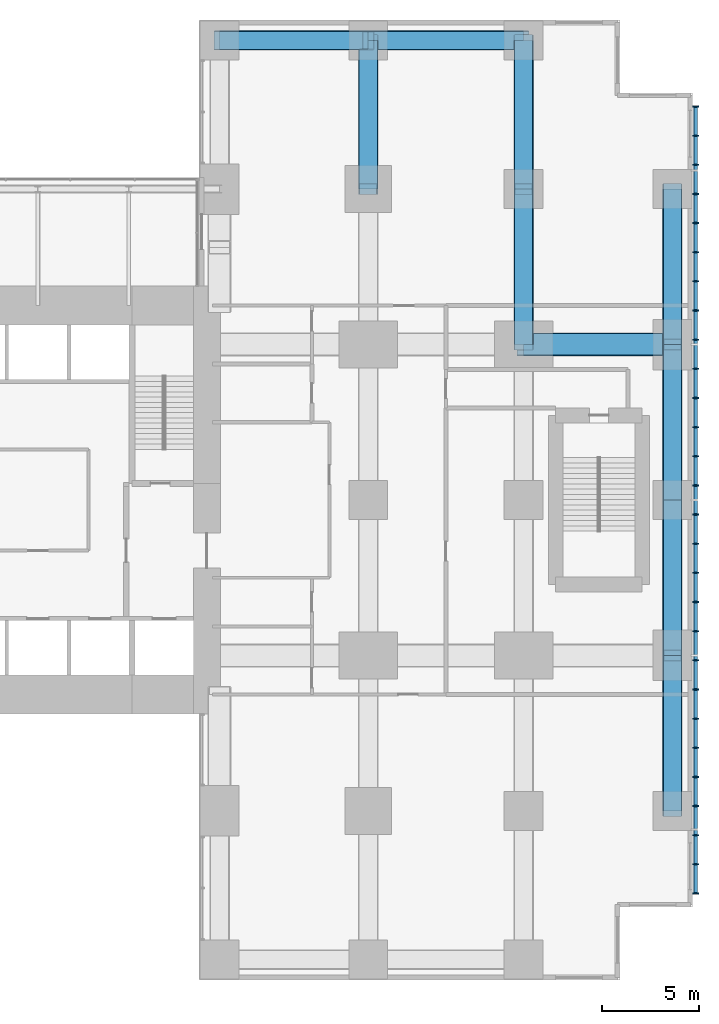
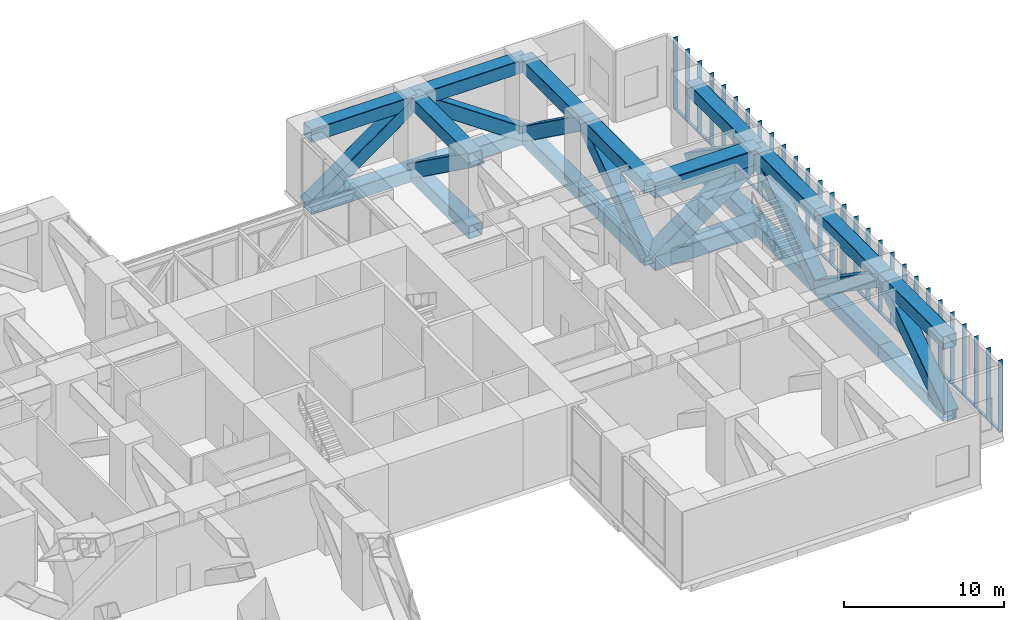
# One storey, part 7 of 17: 62 members.
"""IFC4 building model written with IfcOpenShell, lengths in metres."""

from ifc_helpers import new_model, si_unit, direction, frame, origin, origin_2d, place, context, subcontext, project, spatial, rectangle, hollow_rectangle, extrude, material, material_profile, profile_set, type_object, element, save


model = new_model("IFC4")

# Units and contexts
model_context = context("Model", 3, precision=1e-05, world=origin(), true_north=direction((0.0, 1.0)))
body_context = subcontext(model_context, "Body", "Model", "MODEL_VIEW")
ifc_project = project(units=[si_unit("LENGTHUNIT", "METRE"), si_unit("AREAUNIT", "SQUARE_METRE"), si_unit("VOLUMEUNIT", "CUBIC_METRE"), si_unit("PLANEANGLEUNIT", "RADIAN"), si_unit("MASSUNIT", "GRAM", prefix="KILO")], contexts=[model_context])

# Site, building, storey
site_placement = place(None, origin())
site = spatial("IfcSite", under=ifc_project, at=site_placement, CompositionType="ELEMENT")
building_placement = place(site_placement, origin())
building = spatial("IfcBuilding", under=site, at=building_placement, Name="Cleftline Residences", CompositionType="ELEMENT")
storey_placement = place(building_placement, frame((0.0, 0.0, 90.800048828125)))
storey = spatial("IfcBuildingStorey", under=building, at=storey_placement, Name="L23", CompositionType="ELEMENT", Elevation=90.800048828125)

# Members
ifc_material_1 = material(Name="Steel S355, hot-dip galvanised", Category="steel")
ifc_material_profile_1 = material_profile(ifc_material_1, hollow_rectangle(XDim=0.10009765625, YDim=0.199951171875, WallThickness=0.008056640625, InnerFilletRadius=0.008056640625, OuterFilletRadius=0.011962890625, at=origin_2d()))
ifc_profile_set_1 = profile_set([ifc_material_profile_1], Name="Steel S355, hot-dip galvanised")
member_type_1 = type_object("IfcMemberType", Name="BAGUETTE CARRIER RHS 200X100X8", PredefinedType="USERDEFINED", material=ifc_profile_set_1)
member_1_placement = place(storey_placement, frame((66.85009765625, 3.699951171875, -0.050048828125), z_axis=(0.0, 1.0, 0.0), x_axis=(0.0, 0.0, 1.0)))
element("IfcMember", 1, at=member_1_placement, inside=storey, type_object=member_type_1, Name="Baguette carrier", ObjectType="BAGUETTE CARRIER", PredefinedType="USERDEFINED", context=body_context, shape_type="SweptSolid", body=[
    extrude(hollow_rectangle(XDim=0.10009765625, YDim=0.199951171875, WallThickness=0.008056640625, InnerFilletRadius=0.008056640625, OuterFilletRadius=0.011962890625, at=origin_2d()), origin(), (0.0, 0.0, 1.0), 12.300048828125),
])
for number, where, z_axis, x_axis, name in (
    (2, (66.85009765625, 16.0, -0.050048828125), (0.0, 1.0, 0.0), (0.0, 0.0, 1.0), "Baguette carrier"),
    (3, (66.85009765625, 24.0, -0.050048828125), (0.0, 1.0, 0.0), (0.0, 0.0, 1.0), "Baguette carrier"),
):
    element("IfcMember", number, at=place(storey_placement, frame(where, z_axis=z_axis, x_axis=x_axis)), inside=storey, type_object=member_type_1, Name=name, ObjectType="BAGUETTE CARRIER", PredefinedType="USERDEFINED", context=body_context, shape_type="SweptSolid", body=[
        extrude(hollow_rectangle(XDim=0.10009765625, YDim=0.199951171875, WallThickness=0.008056640625, InnerFilletRadius=0.008056640625, OuterFilletRadius=0.011962890625, at=origin_2d()), origin(), (0.0, 0.0, 1.0), 8.0),
    ])
member_2_placement = place(storey_placement, frame((66.85009765625, 32.0, -0.050048828125), z_axis=(0.0, 1.0, 0.0), x_axis=(0.0, 0.0, 1.0)))
element("IfcMember", 4, at=member_2_placement, inside=storey, type_object=member_type_1, Name="Baguette carrier", ObjectType="BAGUETTE CARRIER", PredefinedType="USERDEFINED", context=body_context, shape_type="SweptSolid", body=[
    extrude(hollow_rectangle(XDim=0.10009765625, YDim=0.199951171875, WallThickness=0.008056640625, InnerFilletRadius=0.008056640625, OuterFilletRadius=0.011962890625, at=origin_2d()), origin(), (0.0, 0.0, 1.0), 12.300048828125),
])
ifc_material_2 = material(Name="Steel S355", Category="steel")
ifc_material_profile_2 = material_profile(ifc_material_2, hollow_rectangle(XDim=1.0, YDim=1.0, WallThickness=0.0400390625, InnerFilletRadius=0.0400390625, OuterFilletRadius=0.06005859375, at=origin_2d()))
ifc_profile_set_2 = profile_set([ifc_material_profile_2], Name="Steel S355")
member_type_2 = type_object("IfcMemberType", Name="BRACE BOX 1000X1000X40", PredefinedType="BRACE", material=ifc_profile_set_2)
member_3_placement = place(storey_placement, frame((50.0, 40.0, 4.64990234375), z_axis=(0.0, 0.811933238445, -0.583750303048), x_axis=(0.0, 0.583750303048, 0.811933238445)))
element("IfcMember", 5, at=member_3_placement, inside=storey, type_object=member_type_2, Name="Belt truss diagonal", PredefinedType="BRACE", context=body_context, shape_type="SweptSolid", body=[
    extrude(hollow_rectangle(XDim=1.0, YDim=1.0, WallThickness=0.0400390625, InnerFilletRadius=0.0400390625, OuterFilletRadius=0.06005859375, at=origin_2d()), origin(), (0.0, 0.0, 1.0), 9.421875),
])
member_4_placement = place(storey_placement, frame((58.0, 32.0, -0.85009765625), z_axis=(0.0, 0.824041924199, 0.566528822887), x_axis=(0.0, -0.566528822887, 0.824041924199)))
element("IfcMember", 6, at=member_4_placement, inside=storey, type_object=member_type_2, Name="Belt truss diagonal", PredefinedType="BRACE", context=body_context, shape_type="SweptSolid", body=[
    extrude(hollow_rectangle(XDim=1.0, YDim=1.0, WallThickness=0.0400390625, InnerFilletRadius=0.0400390625, OuterFilletRadius=0.06005859375, at=origin_2d()), origin(), (0.0, 0.0, 1.0), 9.708251953125),
])
member_5_placement = place(storey_placement, frame((58.0, 40.0, 4.64990234375), z_axis=(0.0, 0.811933238445, -0.583750303048), x_axis=(0.0, 0.583750303048, 0.811933238445)))
element("IfcMember", 7, at=member_5_placement, inside=storey, type_object=member_type_2, Name="Belt truss diagonal", PredefinedType="BRACE", context=body_context, shape_type="SweptSolid", body=[
    extrude(hollow_rectangle(XDim=1.0, YDim=1.0, WallThickness=0.0400390625, InnerFilletRadius=0.0400390625, OuterFilletRadius=0.06005859375, at=origin_2d()), origin(), (0.0, 0.0, 1.0), 9.421875),
])
for number, where, z_axis, x_axis, name in (
    (8, (65.64990234375, 8.0, -0.85009765625), (0.0, 0.824041924199, 0.566528822887), (0.0, -0.566528822887, 0.824041924199), "Belt truss diagonal"),
    (9, (65.64990234375, 16.0, 4.64990234375), (0.0, 0.824041924199, -0.566528822887), (0.0, 0.566528822887, 0.824041924199), "Belt truss diagonal"),
    (10, (65.64990234375, 24.0, -0.85009765625), (0.0, 0.824041924199, 0.566528822887), (0.0, -0.566528822887, 0.824041924199), "Belt truss diagonal"),
    (11, (65.64990234375, 32.0, 4.64990234375), (0.0, 0.824041924199, -0.566528822887), (0.0, 0.566528822887, 0.824041924199), "Belt truss diagonal"),
):
    element("IfcMember", number, at=place(storey_placement, frame(where, z_axis=z_axis, x_axis=x_axis)), inside=storey, type_object=member_type_2, Name=name, PredefinedType="BRACE", context=body_context, shape_type="SweptSolid", body=[
        extrude(hollow_rectangle(XDim=1.0, YDim=1.0, WallThickness=0.0400390625, InnerFilletRadius=0.0400390625, OuterFilletRadius=0.06005859375, at=origin_2d()), origin(), (0.0, 0.0, 1.0), 9.708251953125),
    ])
member_6_placement = place(storey_placement, frame((42.35009765625, 47.64990234375, -0.85009765625), z_axis=(0.811933238445, 0.0, 0.583750303048), x_axis=(-0.583750303048, 0.0, 0.811933238445)))
element("IfcMember", 12, at=member_6_placement, inside=storey, type_object=member_type_2, Name="Belt truss diagonal", PredefinedType="BRACE", context=body_context, shape_type="SweptSolid", body=[
    extrude(hollow_rectangle(XDim=1.0, YDim=1.0, WallThickness=0.0400390625, InnerFilletRadius=0.0400390625, OuterFilletRadius=0.06005859375, at=origin_2d()), origin(), (0.0, 0.0, 1.0), 9.421875),
])
member_7_placement = place(storey_placement, frame((50.0, 47.64990234375, 4.64990234375), z_axis=(0.824041924199, 0.0, -0.566528822887), x_axis=(0.566528822887, 0.0, 0.824041924199)))
element("IfcMember", 13, at=member_7_placement, inside=storey, type_object=member_type_2, Name="Belt truss diagonal", PredefinedType="BRACE", context=body_context, shape_type="SweptSolid", body=[
    extrude(hollow_rectangle(XDim=1.0, YDim=1.0, WallThickness=0.0400390625, InnerFilletRadius=0.0400390625, OuterFilletRadius=0.06005859375, at=origin_2d()), origin(), (0.0, 0.0, 1.0), 9.708251953125),
])
ifc_material_3 = material(Name="Steel S355", Category="steel")
ifc_material_profile_3 = material_profile(ifc_material_3, hollow_rectangle(XDim=1.199951171875, YDim=1.199951171875, WallThickness=0.06005859375, InnerFilletRadius=0.06005859375, OuterFilletRadius=0.090087890625, at=origin_2d()))
ifc_profile_set_3 = profile_set([ifc_material_profile_3], Name="Steel S355")
member_type_3 = type_object("IfcMemberType", Name="BRACE BOX 1200X1200X60", PredefinedType="BRACE", material=ifc_profile_set_3)
member_8_placement = place(storey_placement, frame((58.0, 32.0, -0.949951171875), z_axis=(0.811933238445, 0.0, 0.583750303048), x_axis=(-0.583750303048, 0.0, 0.811933238445)))
element("IfcMember", 14, at=member_8_placement, inside=storey, type_object=member_type_3, Name="Outrigger truss diagonal", PredefinedType="BRACE", context=body_context, shape_type="SweptSolid", body=[
    extrude(hollow_rectangle(XDim=1.199951171875, YDim=1.199951171875, WallThickness=0.06005859375, InnerFilletRadius=0.06005859375, OuterFilletRadius=0.090087890625, at=origin_2d()), origin(), (0.0, 0.0, 1.0), 9.421875),
])
ifc_material_4 = material(Name="Steel S355", Category="steel")
ifc_material_profile_4 = material_profile(ifc_material_4, hollow_rectangle(XDim=1.0, YDim=1.0, WallThickness=0.0400390625, InnerFilletRadius=0.0400390625, OuterFilletRadius=0.06005859375, at=origin_2d()))
ifc_profile_set_4 = profile_set([ifc_material_profile_4], Name="Steel S355")
member_type_4 = type_object("IfcMemberType", Name="CHORD BOX 1000X1000X40", PredefinedType="CHORD", material=ifc_profile_set_4)
for number, where, z_axis, x_axis, name in (
    (15, (50.0, 40.0, -0.85009765625), (0.0, 1.0, 0.0), (-1.0, 0.0, 0.0), "Belt truss bottom chord"),
    (16, (50.0, 40.0, 4.64990234375), (0.0, 1.0, 0.0), (-1.0, 0.0, 0.0), "Belt truss top chord"),
):
    element("IfcMember", number, at=place(storey_placement, frame(where, z_axis=z_axis, x_axis=x_axis)), inside=storey, type_object=member_type_4, Name=name, PredefinedType="CHORD", context=body_context, shape_type="SweptSolid", body=[
        extrude(hollow_rectangle(XDim=1.0, YDim=1.0, WallThickness=0.0400390625, InnerFilletRadius=0.0400390625, OuterFilletRadius=0.06005859375, at=origin_2d()), origin(), (0.0, 0.0, 1.0), 7.64990234375),
    ])
for number, where, z_axis, x_axis, name in (
    (17, (58.0, 32.0, -0.85009765625), (0.0, 1.0, 0.0), (-1.0, 0.0, 0.0), "Belt truss bottom chord"),
    (18, (58.0, 32.0, 4.64990234375), (0.0, 1.0, 0.0), (-1.0, 0.0, 0.0), "Belt truss top chord"),
):
    element("IfcMember", number, at=place(storey_placement, frame(where, z_axis=z_axis, x_axis=x_axis)), inside=storey, type_object=member_type_4, Name=name, PredefinedType="CHORD", context=body_context, shape_type="SweptSolid", body=[
        extrude(hollow_rectangle(XDim=1.0, YDim=1.0, WallThickness=0.0400390625, InnerFilletRadius=0.0400390625, OuterFilletRadius=0.06005859375, at=origin_2d()), origin(), (0.0, 0.0, 1.0), 8.0),
    ])
for number, where, z_axis, x_axis, name in (
    (19, (58.0, 40.0, -0.85009765625), (0.0, 1.0, 0.0), (-1.0, 0.0, 0.0), "Belt truss bottom chord"),
    (20, (58.0, 40.0, 4.64990234375), (0.0, 1.0, 0.0), (-1.0, 0.0, 0.0), "Belt truss top chord"),
):
    element("IfcMember", number, at=place(storey_placement, frame(where, z_axis=z_axis, x_axis=x_axis)), inside=storey, type_object=member_type_4, Name=name, PredefinedType="CHORD", context=body_context, shape_type="SweptSolid", body=[
        extrude(hollow_rectangle(XDim=1.0, YDim=1.0, WallThickness=0.0400390625, InnerFilletRadius=0.0400390625, OuterFilletRadius=0.06005859375, at=origin_2d()), origin(), (0.0, 0.0, 1.0), 7.64990234375),
    ])
for number, where, z_axis, x_axis, name in (
    (21, (65.64990234375, 8.0, -0.85009765625), (0.0, 1.0, 0.0), (-1.0, 0.0, 0.0), "Belt truss bottom chord"),
    (22, (65.64990234375, 8.0, 4.64990234375), (0.0, 1.0, 0.0), (-1.0, 0.0, 0.0), "Belt truss top chord"),
    (23, (65.64990234375, 16.0, -0.85009765625), (0.0, 1.0, 0.0), (-1.0, 0.0, 0.0), "Belt truss bottom chord"),
    (24, (65.64990234375, 16.0, 4.64990234375), (0.0, 1.0, 0.0), (-1.0, 0.0, 0.0), "Belt truss top chord"),
    (25, (65.64990234375, 24.0, -0.85009765625), (0.0, 1.0, 0.0), (-1.0, 0.0, 0.0), "Belt truss bottom chord"),
    (26, (65.64990234375, 24.0, 4.64990234375), (0.0, 1.0, 0.0), (-1.0, 0.0, 0.0), "Belt truss top chord"),
    (27, (65.64990234375, 32.0, -0.85009765625), (0.0, 1.0, 0.0), (-1.0, 0.0, 0.0), "Belt truss bottom chord"),
    (28, (65.64990234375, 32.0, 4.64990234375), (0.0, 1.0, 0.0), (-1.0, 0.0, 0.0), "Belt truss top chord"),
):
    element("IfcMember", number, at=place(storey_placement, frame(where, z_axis=z_axis, x_axis=x_axis)), inside=storey, type_object=member_type_4, Name=name, PredefinedType="CHORD", context=body_context, shape_type="SweptSolid", body=[
        extrude(hollow_rectangle(XDim=1.0, YDim=1.0, WallThickness=0.0400390625, InnerFilletRadius=0.0400390625, OuterFilletRadius=0.06005859375, at=origin_2d()), origin(), (0.0, 0.0, 1.0), 8.0),
    ])
for number, where, z_axis, x_axis, name in (
    (29, (42.35009765625, 47.64990234375, -0.85009765625), (1.0, 0.0, 0.0), (0.0, 1.0, 0.0), "Belt truss bottom chord"),
    (30, (42.35009765625, 47.64990234375, 4.64990234375), (1.0, 0.0, 0.0), (0.0, 1.0, 0.0), "Belt truss top chord"),
):
    element("IfcMember", number, at=place(storey_placement, frame(where, z_axis=z_axis, x_axis=x_axis)), inside=storey, type_object=member_type_4, Name=name, PredefinedType="CHORD", context=body_context, shape_type="SweptSolid", body=[
        extrude(hollow_rectangle(XDim=1.0, YDim=1.0, WallThickness=0.0400390625, InnerFilletRadius=0.0400390625, OuterFilletRadius=0.06005859375, at=origin_2d()), origin(), (0.0, 0.0, 1.0), 7.64990234375),
    ])
for number, where, z_axis, x_axis, name in (
    (31, (50.0, 47.64990234375, -0.85009765625), (1.0, 0.0, 0.0), (0.0, 1.0, 0.0), "Belt truss bottom chord"),
    (32, (50.0, 47.64990234375, 4.64990234375), (1.0, 0.0, 0.0), (0.0, 1.0, 0.0), "Belt truss top chord"),
):
    element("IfcMember", number, at=place(storey_placement, frame(where, z_axis=z_axis, x_axis=x_axis)), inside=storey, type_object=member_type_4, Name=name, PredefinedType="CHORD", context=body_context, shape_type="SweptSolid", body=[
        extrude(hollow_rectangle(XDim=1.0, YDim=1.0, WallThickness=0.0400390625, InnerFilletRadius=0.0400390625, OuterFilletRadius=0.06005859375, at=origin_2d()), origin(), (0.0, 0.0, 1.0), 8.0),
    ])
ifc_material_5 = material(Name="Steel S355", Category="steel")
ifc_material_profile_5 = material_profile(ifc_material_5, hollow_rectangle(XDim=1.199951171875, YDim=1.199951171875, WallThickness=0.06005859375, InnerFilletRadius=0.06005859375, OuterFilletRadius=0.090087890625, at=origin_2d()))
ifc_profile_set_5 = profile_set([ifc_material_profile_5], Name="Steel S355")
member_type_5 = type_object("IfcMemberType", Name="CHORD BOX 1200X1200X60", PredefinedType="CHORD", material=ifc_profile_set_5)
for number, where, z_axis, x_axis, name in (
    (33, (58.0, 32.0, -0.949951171875), (1.0, 0.0, 0.0), (0.0, 1.0, 0.0), "Outrigger truss bottom chord"),
    (34, (58.0, 32.0, 4.550048828125), (1.0, 0.0, 0.0), (0.0, 1.0, 0.0), "Outrigger truss top chord"),
):
    element("IfcMember", number, at=place(storey_placement, frame(where, z_axis=z_axis, x_axis=x_axis)), inside=storey, type_object=member_type_5, Name=name, PredefinedType="CHORD", context=body_context, shape_type="SweptSolid", body=[
        extrude(hollow_rectangle(XDim=1.199951171875, YDim=1.199951171875, WallThickness=0.06005859375, InnerFilletRadius=0.06005859375, OuterFilletRadius=0.090087890625, at=origin_2d()), origin(), (0.0, 0.0, 1.0), 7.64990234375),
    ])
ifc_material_6 = material(Name="Extruded terracotta", Category="masonry")
ifc_material_profile_6 = material_profile(ifc_material_6, rectangle(XDim=0.06005859375, YDim=0.300048828125, at=origin_2d()))
ifc_profile_set_6 = profile_set([ifc_material_profile_6], Name="Extruded terracotta")
member_type_6 = type_object("IfcMemberType", Name="TERRACOTTA BAGUETTE 60X300", PredefinedType="USERDEFINED", material=ifc_profile_set_6)
for number, where, z_axis, x_axis, name in (
    (35, (66.85009765625, 3.75, 0.0), (0.0, 0.0, 1.0), (0.0, 1.0, 0.0), "Terracotta baguette"),
    (36, (66.85009765625, 5.25, 0.0), (0.0, 0.0, 1.0), (0.0, 1.0, 0.0), "Terracotta baguette"),
    (37, (66.85009765625, 6.75, 0.0), (0.0, 0.0, 1.0), (0.0, 1.0, 0.0), "Terracotta baguette"),
    (38, (66.85009765625, 8.25, 0.0), (0.0, 0.0, 1.0), (0.0, 1.0, 0.0), "Terracotta baguette"),
    (39, (66.85009765625, 9.75, 0.0), (0.0, 0.0, 1.0), (0.0, 1.0, 0.0), "Terracotta baguette"),
    (40, (66.85009765625, 11.25, 0.0), (0.0, 0.0, 1.0), (0.0, 1.0, 0.0), "Terracotta baguette"),
    (41, (66.85009765625, 12.75, 0.0), (0.0, 0.0, 1.0), (0.0, 1.0, 0.0), "Terracotta baguette"),
    (42, (66.85009765625, 14.25, 0.0), (0.0, 0.0, 1.0), (0.0, 1.0, 0.0), "Terracotta baguette"),
    (43, (66.85009765625, 15.75, 0.0), (0.0, 0.0, 1.0), (0.0, 1.0, 0.0), "Terracotta baguette"),
    (44, (66.85009765625, 17.25, 0.0), (0.0, 0.0, 1.0), (0.0, 1.0, 0.0), "Terracotta baguette"),
    (45, (66.85009765625, 18.75, 0.0), (0.0, 0.0, 1.0), (0.0, 1.0, 0.0), "Terracotta baguette"),
    (46, (66.85009765625, 20.25, 0.0), (0.0, 0.0, 1.0), (0.0, 1.0, 0.0), "Terracotta baguette"),
    (47, (66.85009765625, 21.75, 0.0), (0.0, 0.0, 1.0), (0.0, 1.0, 0.0), "Terracotta baguette"),
    (48, (66.85009765625, 23.25, 0.0), (0.0, 0.0, 1.0), (0.0, 1.0, 0.0), "Terracotta baguette"),
    (49, (66.85009765625, 24.75, 0.0), (0.0, 0.0, 1.0), (0.0, 1.0, 0.0), "Terracotta baguette"),
    (50, (66.85009765625, 26.25, 0.0), (0.0, 0.0, 1.0), (0.0, 1.0, 0.0), "Terracotta baguette"),
    (51, (66.85009765625, 27.75, 0.0), (0.0, 0.0, 1.0), (0.0, 1.0, 0.0), "Terracotta baguette"),
    (52, (66.85009765625, 29.25, 0.0), (0.0, 0.0, 1.0), (0.0, 1.0, 0.0), "Terracotta baguette"),
    (53, (66.85009765625, 30.75, 0.0), (0.0, 0.0, 1.0), (0.0, 1.0, 0.0), "Terracotta baguette"),
    (54, (66.85009765625, 32.25, 0.0), (0.0, 0.0, 1.0), (0.0, 1.0, 0.0), "Terracotta baguette"),
    (55, (66.85009765625, 33.75, 0.0), (0.0, 0.0, 1.0), (0.0, 1.0, 0.0), "Terracotta baguette"),
    (56, (66.85009765625, 35.25, 0.0), (0.0, 0.0, 1.0), (0.0, 1.0, 0.0), "Terracotta baguette"),
    (57, (66.85009765625, 36.75, 0.0), (0.0, 0.0, 1.0), (0.0, 1.0, 0.0), "Terracotta baguette"),
    (58, (66.85009765625, 38.25, 0.0), (0.0, 0.0, 1.0), (0.0, 1.0, 0.0), "Terracotta baguette"),
    (59, (66.85009765625, 39.75, 0.0), (0.0, 0.0, 1.0), (0.0, 1.0, 0.0), "Terracotta baguette"),
    (60, (66.85009765625, 41.25, 0.0), (0.0, 0.0, 1.0), (0.0, 1.0, 0.0), "Terracotta baguette"),
    (61, (66.85009765625, 42.75, 0.0), (0.0, 0.0, 1.0), (0.0, 1.0, 0.0), "Terracotta baguette"),
    (62, (66.85009765625, 44.25, 0.0), (0.0, 0.0, 1.0), (0.0, 1.0, 0.0), "Terracotta baguette"),
):
    element("IfcMember", number, at=place(storey_placement, frame(where, z_axis=z_axis, x_axis=x_axis)), inside=storey, type_object=member_type_6, Name=name, ObjectType="BAGUETTE", PredefinedType="USERDEFINED", context=body_context, shape_type="SweptSolid", body=[
        extrude(rectangle(XDim=0.06005859375, YDim=0.300048828125, at=origin_2d()), origin(), (0.0, 0.0, 1.0), 5.39990234375),
    ])

save(model, "model.ifc")
